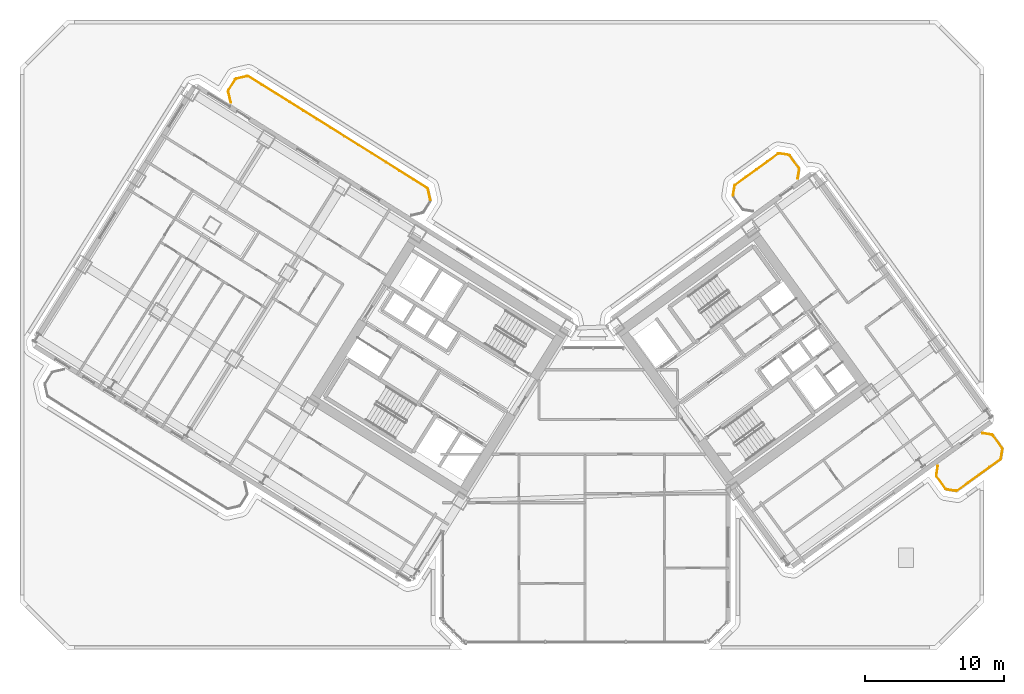
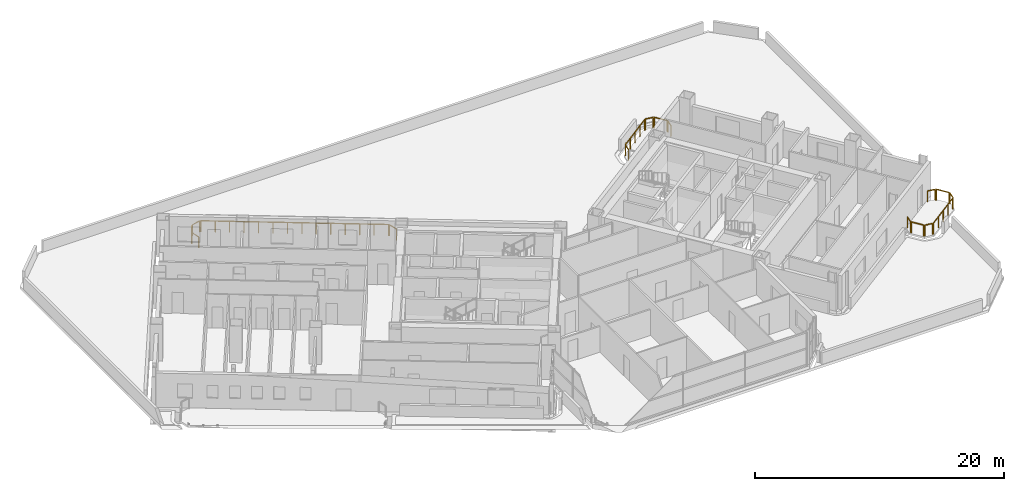
# One storey, part 28 of 28: 17 railings.
"""IFC4 building model written with IfcOpenShell, lengths in metres."""

from ifc_helpers import new_model, si_unit, direction, frame, origin, origin_2d, place, context, subcontext, project, spatial, rectangle, extrude, source, transform, mapped, material, type_object, element, save


model = new_model("IFC4")

# Units and contexts
model_context = context("Model", 3, precision=1e-05, world=origin(), true_north=direction((0.0, 1.0)))
body_context = subcontext(model_context, "Body", "Model", "MODEL_VIEW")
ifc_project = project(units=[si_unit("LENGTHUNIT", "METRE"), si_unit("AREAUNIT", "SQUARE_METRE"), si_unit("VOLUMEUNIT", "CUBIC_METRE"), si_unit("PLANEANGLEUNIT", "RADIAN"), si_unit("MASSUNIT", "GRAM", prefix="KILO")], contexts=[model_context])

# Site, building, storey
site_placement = place(None, origin())
site = spatial("IfcSite", under=ifc_project, at=site_placement, CompositionType="ELEMENT")
building_placement = place(site_placement, origin())
building = spatial("IfcBuilding", under=site, at=building_placement, Name="Tlacorven Tower", CompositionType="ELEMENT")
storey_placement = place(building_placement, frame((0.0, 0.0, 24.0)))
storey = spatial("IfcBuildingStorey", under=building, at=storey_placement, Name="L05", CompositionType="ELEMENT", Elevation=24.0)

# Railings
ifc_material = material(Name="Aluminium and painted steel balustrade", Category="steel")
railing_type = type_object("IfcRailingType", Name="RL-BAL-1100", PredefinedType="BALUSTRADE", material=ifc_material)
shared_shape_1 = source(origin(), body_context, "Body", "SweptSolid", [
    extrude(rectangle(XDim=0.048095703125, YDim=0.048095703125, at=origin_2d()), frame((0.0, 0.0, 1.076171875), z_axis=(0.225058334816, -0.974345290916, 0.0), x_axis=(0.974345290916, 0.225058334816, 0.0)), (0.0, 0.0, 1.0), 0.80712890625),
    extrude(rectangle(XDim=0.0419921875, YDim=0.0419921875, at=origin_2d()), origin(), (0.0, 0.0, 1.0), 1.052001953125),
    extrude(rectangle(XDim=0.0419921875, YDim=0.0419921875, at=origin_2d()), frame((0.181640625, -0.786376953125, 0.0)), (0.0, 0.0, 1.0), 1.052001953125),
])
railing_1_placement = place(storey_placement, frame((30.6796875, 34.466064453125, 0.0)))
element("IfcRailing", 1, at=railing_1_placement, inside=storey, type_object=railing_type, Name="BAL-L05-W-IN Guard Railing 1", PredefinedType="BALUSTRADE", context=body_context, shape_type="MappedRepresentation", body=[
    mapped(shared_shape_1, transform((0.0, 0.0, 0.0), scale=1.0)),
])
shared_shape_2 = source(origin(), body_context, "Body", "SweptSolid", [
    extrude(rectangle(XDim=0.048095703125, YDim=0.048095703125, at=origin_2d()), frame((0.0, 0.0, 1.076171875), z_axis=(-0.225058334816, 0.974345290916, 0.0), x_axis=(-0.974345290916, -0.225058334816, 0.0)), (0.0, 0.0, 1.0), 0.80712890625),
    extrude(rectangle(XDim=0.0419921875, YDim=0.0419921875, at=origin_2d()), origin(), (0.0, 0.0, 1.0), 1.052001953125),
    extrude(rectangle(XDim=0.0419921875, YDim=0.0419921875, at=origin_2d()), frame((-0.181640625, 0.786376953125, 0.0)), (0.0, 0.0, 1.0), 1.052001953125),
])
railing_2_placement = place(storey_placement, frame((16.5361328125, 40.68115234375, 0.0)))
element("IfcRailing", 2, at=railing_2_placement, inside=storey, type_object=railing_type, Name="BAL-L05-W-IN Guard Railing 4", PredefinedType="BALUSTRADE", context=body_context, shape_type="MappedRepresentation", body=[
    mapped(shared_shape_2, transform((0.0, 0.0, 0.0), scale=1.0)),
])
shared_shape_3 = source(origin(), body_context, "Body", "SweptSolid", [
    extrude(rectangle(XDim=0.048095703125, YDim=0.048095703125, at=origin_2d()), frame((0.0, 0.0, 1.076171875), z_axis=(0.52987865805, 0.848073468364, 0.0), x_axis=(-0.848073468364, 0.52987865805, 0.0)), (0.0, 0.0, 1.0), 0.912353515625),
    extrude(rectangle(XDim=0.0419921875, YDim=0.0419921875, at=origin_2d()), origin(), (0.0, 0.0, 1.0), 1.052001953125),
    extrude(rectangle(XDim=0.0419921875, YDim=0.0419921875, at=origin_2d()), frame((0.4833984375, 0.773681640625, 0.0)), (0.0, 0.0, 1.0), 1.052001953125),
])
railing_3_placement = place(storey_placement, frame((16.369873046875, 41.55859375, 0.0)))
element("IfcRailing", 3, at=railing_3_placement, inside=storey, type_object=railing_type, Name="BAL-L05-W-IN Guard Railing 5", PredefinedType="BALUSTRADE", context=body_context, shape_type="MappedRepresentation", body=[
    mapped(shared_shape_3, transform((0.0, 0.0, 0.0), scale=1.0)),
])
shared_shape_4 = source(origin(), body_context, "Body", "SweptSolid", [
    extrude(rectangle(XDim=0.048095703125, YDim=0.048095703125, at=origin_2d()), frame((0.0, 0.0, 1.076171875), z_axis=(0.974411586182, 0.224771129628, 0.0), x_axis=(-0.224771129628, 0.974411586182, 0.0)), (0.0, 0.0, 1.0), 0.80712890625),
    extrude(rectangle(XDim=0.0419921875, YDim=0.0419921875, at=origin_2d()), origin(), (0.0, 0.0, 1.0), 1.052001953125),
    extrude(rectangle(XDim=0.0419921875, YDim=0.0419921875, at=origin_2d()), frame((0.786376953125, 0.181396484375, 0.0)), (0.0, 0.0, 1.0), 1.052001953125),
])
railing_4_placement = place(storey_placement, frame((16.928466796875, 42.385986328125, 0.0)))
element("IfcRailing", 4, at=railing_4_placement, inside=storey, type_object=railing_type, Name="BAL-L05-W-IN Guard Railing 6", PredefinedType="BALUSTRADE", context=body_context, shape_type="MappedRepresentation", body=[
    mapped(shared_shape_4, transform((0.0, 0.0, 0.0), scale=1.0)),
])
shared_shape_5 = source(origin(), body_context, "Body", "SweptSolid", [
    extrude(rectangle(XDim=0.048095703125, YDim=0.048095703125, at=origin_2d()), frame((0.0, 0.0, 1.076171875), z_axis=(0.848044572804, -0.529924902733, 0.0), x_axis=(0.529924902733, 0.848044572804, 0.0)), (0.0, 0.0, 1.0), 15.1171875),
    extrude(rectangle(XDim=0.0419921875, YDim=0.0419921875, at=origin_2d()), origin(), (0.0, 0.0, 1.0), 1.052001953125),
    extrude(rectangle(XDim=0.0419921875, YDim=0.0419921875, at=origin_2d()), frame((0.986083984375, -0.6162109375, 0.0)), (0.0, 0.0, 1.0), 1.052001953125),
    extrude(rectangle(XDim=0.0419921875, YDim=0.0419921875, at=origin_2d()), frame((1.972412109375, -1.232421875, 0.0)), (0.0, 0.0, 1.0), 1.052001953125),
    extrude(rectangle(XDim=0.0419921875, YDim=0.0419921875, at=origin_2d()), frame((2.95849609375, -1.8486328125, 0.0)), (0.0, 0.0, 1.0), 1.052001953125),
    extrude(rectangle(XDim=0.0419921875, YDim=0.0419921875, at=origin_2d()), frame((3.944580078125, -2.46484375, 0.0)), (0.0, 0.0, 1.0), 1.052001953125),
    extrude(rectangle(XDim=0.0419921875, YDim=0.0419921875, at=origin_2d()), frame((4.930908203125, -3.0810546875, 0.0)), (0.0, 0.0, 1.0), 1.052001953125),
    extrude(rectangle(XDim=0.0419921875, YDim=0.0419921875, at=origin_2d()), frame((5.9169921875, -3.697265625, 0.0)), (0.0, 0.0, 1.0), 1.052001953125),
    extrude(rectangle(XDim=0.0419921875, YDim=0.0419921875, at=origin_2d()), frame((6.903076171875, -4.313720703125, 0.0)), (0.0, 0.0, 1.0), 1.052001953125),
    extrude(rectangle(XDim=0.0419921875, YDim=0.0419921875, at=origin_2d()), frame((7.88916015625, -4.929931640625, 0.0)), (0.0, 0.0, 1.0), 1.052001953125),
    extrude(rectangle(XDim=0.0419921875, YDim=0.0419921875, at=origin_2d()), frame((8.87548828125, -5.546142578125, 0.0)), (0.0, 0.0, 1.0), 1.052001953125),
    extrude(rectangle(XDim=0.0419921875, YDim=0.0419921875, at=origin_2d()), frame((9.861572265625, -6.162353515625, 0.0)), (0.0, 0.0, 1.0), 1.052001953125),
    extrude(rectangle(XDim=0.0419921875, YDim=0.0419921875, at=origin_2d()), frame((10.84765625, -6.778564453125, 0.0)), (0.0, 0.0, 1.0), 1.052001953125),
    extrude(rectangle(XDim=0.0419921875, YDim=0.0419921875, at=origin_2d()), frame((11.833984375, -7.394775390625, 0.0)), (0.0, 0.0, 1.0), 1.052001953125),
    extrude(rectangle(XDim=0.0419921875, YDim=0.0419921875, at=origin_2d()), frame((12.820068359375, -8.010986328125, 0.0)), (0.0, 0.0, 1.0), 1.052001953125),
])
railing_5_placement = place(storey_placement, frame((17.805908203125, 42.55224609375, 0.0)))
element("IfcRailing", 5, at=railing_5_placement, inside=storey, type_object=railing_type, Name="BAL-L05-W-IN Guard Railing 7", PredefinedType="BALUSTRADE", context=body_context, shape_type="MappedRepresentation", body=[
    mapped(shared_shape_5, transform((0.0, 0.0, 0.0), scale=1.0)),
])
shared_shape_6 = source(origin(), body_context, "Body", "SweptSolid", [
    extrude(rectangle(XDim=0.048095703125, YDim=0.048095703125, at=origin_2d()), frame((0.0, 0.0, 1.076171875), z_axis=(-0.987661653326, 0.156602868908, 0.0), x_axis=(-0.156602868908, -0.987661653326, 0.0)), (0.0, 0.0, 1.0), 0.665771484375),
    extrude(rectangle(XDim=0.0419921875, YDim=0.0419921875, at=origin_2d()), origin(), (0.0, 0.0, 1.0), 1.052001953125),
    extrude(rectangle(XDim=0.0419921875, YDim=0.0419921875, at=origin_2d()), frame((-0.657470703125, 0.104248046875, 0.0)), (0.0, 0.0, 1.0), 1.052001953125),
])
railing_6_placement = place(storey_placement, frame((68.59521484375, 12.7919921875, 0.0)))
element("IfcRailing", 6, at=railing_6_placement, inside=storey, type_object=railing_type, Name="BAL-L05-E-OUT Guard Railing 1", PredefinedType="BALUSTRADE", context=body_context, shape_type="MappedRepresentation", body=[
    mapped(shared_shape_6, transform((0.0, 0.0, 0.0), scale=1.0)),
])
shared_shape_7 = source(origin(), body_context, "Body", "SweptSolid", [
    extrude(rectangle(XDim=0.048095703125, YDim=0.048095703125, at=origin_2d()), frame((0.0, 0.0, 1.076171875), z_axis=(-0.58788449985, 0.808944877501, 0.0), x_axis=(-0.808944877501, -0.58788449985, 0.0)), (0.0, 0.0, 1.0), 1.112060546875),
    extrude(rectangle(XDim=0.0419921875, YDim=0.0419921875, at=origin_2d()), origin(), (0.0, 0.0, 1.0), 1.052001953125),
    extrude(rectangle(XDim=0.0419921875, YDim=0.0419921875, at=origin_2d()), frame((-0.65380859375, 0.899658203125, 0.0)), (0.0, 0.0, 1.0), 1.052001953125),
])
railing_7_placement = place(storey_placement, frame((67.85888671875, 12.944580078125, 0.0)))
element("IfcRailing", 7, at=railing_7_placement, inside=storey, type_object=railing_type, Name="BAL-L05-E-OUT Guard Railing 2", PredefinedType="BALUSTRADE", context=body_context, shape_type="MappedRepresentation", body=[
    mapped(shared_shape_7, transform((0.0, 0.0, 0.0), scale=1.0)),
])
shared_shape_8 = source(origin(), body_context, "Body", "SweptSolid", [
    extrude(rectangle(XDim=0.048095703125, YDim=0.048095703125, at=origin_2d()), frame((0.0, 0.0, 1.076171875), z_axis=(0.156602868908, 0.987661653326, 0.0), x_axis=(-0.987661653326, 0.156602868908, 0.0)), (0.0, 0.0, 1.0), 0.665771484375),
    extrude(rectangle(XDim=0.0419921875, YDim=0.0419921875, at=origin_2d()), origin(), (0.0, 0.0, 1.0), 1.052001953125),
    extrude(rectangle(XDim=0.0419921875, YDim=0.0419921875, at=origin_2d()), frame((0.104248046875, 0.657470703125, 0.0)), (0.0, 0.0, 1.0), 1.052001953125),
])
railing_8_placement = place(storey_placement, frame((67.18359375, 13.93408203125, 0.0)))
element("IfcRailing", 8, at=railing_8_placement, inside=storey, type_object=railing_type, Name="BAL-L05-E-OUT Guard Railing 3", PredefinedType="BALUSTRADE", context=body_context, shape_type="MappedRepresentation", body=[
    mapped(shared_shape_8, transform((0.0, 0.0, 0.0), scale=1.0)),
])
shared_shape_9 = source(origin(), body_context, "Body", "SweptSolid", [
    extrude(rectangle(XDim=0.048095703125, YDim=0.048095703125, at=origin_2d()), frame((0.0, 0.0, 1.076171875), z_axis=(0.987718317463, -0.156245081039, 0.0), x_axis=(0.156245081039, 0.987718317463, 0.0)), (0.0, 0.0, 1.0), 0.66552734375),
    extrude(rectangle(XDim=0.0419921875, YDim=0.0419921875, at=origin_2d()), origin(), (0.0, 0.0, 1.0), 1.052001953125),
    extrude(rectangle(XDim=0.0419921875, YDim=0.0419921875, at=origin_2d()), frame((0.657470703125, -0.10400390625, 0.0)), (0.0, 0.0, 1.0), 1.052001953125),
])
railing_9_placement = place(storey_placement, frame((70.513916015625, 16.935546875, 0.0)))
element("IfcRailing", 9, at=railing_9_placement, inside=storey, type_object=railing_type, Name="BAL-L05-E-OUT Guard Railing 4", PredefinedType="BALUSTRADE", context=body_context, shape_type="MappedRepresentation", body=[
    mapped(shared_shape_9, transform((0.0, 0.0, 0.0), scale=1.0)),
])
shared_shape_10 = source(origin(), body_context, "Body", "SweptSolid", [
    extrude(rectangle(XDim=0.048095703125, YDim=0.048095703125, at=origin_2d()), frame((0.0, 0.0, 1.076171875), z_axis=(0.58788449985, -0.808944877501, 0.0), x_axis=(0.808944877501, 0.58788449985, 0.0)), (0.0, 0.0, 1.0), 1.112060546875),
    extrude(rectangle(XDim=0.0419921875, YDim=0.0419921875, at=origin_2d()), origin(), (0.0, 0.0, 1.0), 1.052001953125),
    extrude(rectangle(XDim=0.0419921875, YDim=0.0419921875, at=origin_2d()), frame((0.65380859375, -0.899658203125, 0.0)), (0.0, 0.0, 1.0), 1.052001953125),
])
for number, where, name in (
    (10, (71.250244140625, 16.783203125, 0.0), "BAL-L05-E-OUT Guard Railing 5"),
    (11, (56.658447265625, 36.866943359375, 0.0), "BAL-L05-E-IN Guard Railing 6"),
):
    element("IfcRailing", number, at=place(storey_placement, frame(where)), inside=storey, type_object=railing_type, Name=name, PredefinedType="BALUSTRADE", context=body_context, shape_type="MappedRepresentation", body=[
        mapped(shared_shape_10, transform((0.0, 0.0, 0.0), scale=1.0)),
    ])
shared_shape_11 = source(origin(), body_context, "Body", "SweptSolid", [
    extrude(rectangle(XDim=0.048095703125, YDim=0.048095703125, at=origin_2d()), frame((0.0, 0.0, 1.076171875), z_axis=(-0.156188498702, -0.987727266442, 0.0), x_axis=(0.987727266442, -0.156188498702, 0.0)), (0.0, 0.0, 1.0), 0.665771484375),
    extrude(rectangle(XDim=0.0419921875, YDim=0.0419921875, at=origin_2d()), origin(), (0.0, 0.0, 1.0), 1.052001953125),
    extrude(rectangle(XDim=0.0419921875, YDim=0.0419921875, at=origin_2d()), frame((-0.10400390625, -0.65771484375, 0.0)), (0.0, 0.0, 1.0), 1.052001953125),
])
railing_10_placement = place(storey_placement, frame((71.925537109375, 15.793701171875, 0.0)))
element("IfcRailing", 12, at=railing_10_placement, inside=storey, type_object=railing_type, Name="BAL-L05-E-OUT Guard Railing 6", PredefinedType="BALUSTRADE", context=body_context, shape_type="MappedRepresentation", body=[
    mapped(shared_shape_11, transform((0.0, 0.0, 0.0), scale=1.0)),
])
shared_shape_12 = source(origin(), body_context, "Body", "SweptSolid", [
    extrude(rectangle(XDim=0.048095703125, YDim=0.048095703125, at=origin_2d()), frame((0.0, 0.0, 1.076171875), z_axis=(-0.809018102573, -0.587783726986, 0.0), x_axis=(0.587783726986, -0.809018102573, 0.0)), (0.0, 0.0, 1.0), 3.817138671875),
    extrude(rectangle(XDim=0.0419921875, YDim=0.0419921875, at=origin_2d()), origin(), (0.0, 0.0, 1.0), 1.052001953125),
    extrude(rectangle(XDim=0.0419921875, YDim=0.0419921875, at=origin_2d()), frame((-0.77197265625, -0.56103515625, 0.0)), (0.0, 0.0, 1.0), 1.052001953125),
    extrude(rectangle(XDim=0.0419921875, YDim=0.0419921875, at=origin_2d()), frame((-1.5439453125, -1.121826171875, 0.0)), (0.0, 0.0, 1.0), 1.052001953125),
    extrude(rectangle(XDim=0.0419921875, YDim=0.0419921875, at=origin_2d()), frame((-2.316162109375, -1.6826171875, 0.0)), (0.0, 0.0, 1.0), 1.052001953125),
    extrude(rectangle(XDim=0.0419921875, YDim=0.0419921875, at=origin_2d()), frame((-3.088134765625, -2.24365234375, 0.0)), (0.0, 0.0, 1.0), 1.052001953125),
])
railing_11_placement = place(storey_placement, frame((71.773193359375, 15.057373046875, 0.0)))
element("IfcRailing", 13, at=railing_11_placement, inside=storey, type_object=railing_type, Name="BAL-L05-E-OUT Guard Railing 7", PredefinedType="BALUSTRADE", context=body_context, shape_type="MappedRepresentation", body=[
    mapped(shared_shape_12, transform((0.0, 0.0, 0.0), scale=1.0)),
])
shared_shape_13 = source(origin(), body_context, "Body", "SweptSolid", [
    extrude(rectangle(XDim=0.048095703125, YDim=0.048095703125, at=origin_2d()), frame((0.0, 0.0, 1.076171875), z_axis=(0.156546163506, 0.987670642822, 0.0), x_axis=(-0.987670642822, 0.156546163506, 0.0)), (0.0, 0.0, 1.0), 0.666015625),
    extrude(rectangle(XDim=0.0419921875, YDim=0.0419921875, at=origin_2d()), origin(), (0.0, 0.0, 1.0), 1.052001953125),
    extrude(rectangle(XDim=0.0419921875, YDim=0.0419921875, at=origin_2d()), frame((0.104248046875, 0.65771484375, 0.0)), (0.0, 0.0, 1.0), 1.052001953125),
])
railing_12_placement = place(storey_placement, frame((52.591796875, 34.017822265625, 0.0)))
element("IfcRailing", 14, at=railing_12_placement, inside=storey, type_object=railing_type, Name="BAL-L05-E-IN Guard Railing 3", PredefinedType="BALUSTRADE", context=body_context, shape_type="MappedRepresentation", body=[
    mapped(shared_shape_13, transform((0.0, 0.0, 0.0), scale=1.0)),
])
shared_shape_14 = source(origin(), body_context, "Body", "SweptSolid", [
    extrude(rectangle(XDim=0.048095703125, YDim=0.048095703125, at=origin_2d()), frame((0.0, 0.0, 1.076171875), z_axis=(0.809040198054, 0.587753313843, 0.0), x_axis=(-0.587753313843, 0.809040198054, 0.0)), (0.0, 0.0, 1.0), 3.8173828125),
    extrude(rectangle(XDim=0.0419921875, YDim=0.0419921875, at=origin_2d()), origin(), (0.0, 0.0, 1.0), 1.052001953125),
    extrude(rectangle(XDim=0.0419921875, YDim=0.0419921875, at=origin_2d()), frame((0.77197265625, 0.56103515625, 0.0)), (0.0, 0.0, 1.0), 1.052001953125),
    extrude(rectangle(XDim=0.0419921875, YDim=0.0419921875, at=origin_2d()), frame((1.544189453125, 1.121826171875, 0.0)), (0.0, 0.0, 1.0), 1.052001953125),
    extrude(rectangle(XDim=0.0419921875, YDim=0.0419921875, at=origin_2d()), frame((2.31640625, 1.6826171875, 0.0)), (0.0, 0.0, 1.0), 1.052001953125),
    extrude(rectangle(XDim=0.0419921875, YDim=0.0419921875, at=origin_2d()), frame((3.08837890625, 2.24365234375, 0.0)), (0.0, 0.0, 1.0), 1.052001953125),
])
railing_13_placement = place(storey_placement, frame((52.744140625, 34.754150390625, 0.0)))
element("IfcRailing", 15, at=railing_13_placement, inside=storey, type_object=railing_type, Name="BAL-L05-E-IN Guard Railing 4", PredefinedType="BALUSTRADE", context=body_context, shape_type="MappedRepresentation", body=[
    mapped(shared_shape_14, transform((0.0, 0.0, 0.0), scale=1.0)),
])
shared_shape_15 = source(origin(), body_context, "Body", "SweptSolid", [
    extrude(rectangle(XDim=0.048095703125, YDim=0.048095703125, at=origin_2d()), frame((0.0, 0.0, 1.076171875), z_axis=(0.987670642822, -0.156546163506, 0.0), x_axis=(0.156546163506, 0.987670642822, 0.0)), (0.0, 0.0, 1.0), 0.666015625),
    extrude(rectangle(XDim=0.0419921875, YDim=0.0419921875, at=origin_2d()), origin(), (0.0, 0.0, 1.0), 1.052001953125),
    extrude(rectangle(XDim=0.0419921875, YDim=0.0419921875, at=origin_2d()), frame((0.65771484375, -0.104248046875, 0.0)), (0.0, 0.0, 1.0), 1.052001953125),
])
railing_14_placement = place(storey_placement, frame((55.922119140625, 37.01953125, 0.0)))
element("IfcRailing", 16, at=railing_14_placement, inside=storey, type_object=railing_type, Name="BAL-L05-E-IN Guard Railing 5", PredefinedType="BALUSTRADE", context=body_context, shape_type="MappedRepresentation", body=[
    mapped(shared_shape_15, transform((0.0, 0.0, 0.0), scale=1.0)),
])
shared_shape_16 = source(origin(), body_context, "Body", "SweptSolid", [
    extrude(rectangle(XDim=0.048095703125, YDim=0.048095703125, at=origin_2d()), frame((0.0, 0.0, 1.076171875), z_axis=(-0.156245081039, -0.987718317463, 0.0), x_axis=(0.987718317463, -0.156245081039, 0.0)), (0.0, 0.0, 1.0), 0.66552734375),
    extrude(rectangle(XDim=0.0419921875, YDim=0.0419921875, at=origin_2d()), origin(), (0.0, 0.0, 1.0), 1.052001953125),
    extrude(rectangle(XDim=0.0419921875, YDim=0.0419921875, at=origin_2d()), frame((-0.10400390625, -0.657470703125, 0.0)), (0.0, 0.0, 1.0), 1.052001953125),
])
railing_15_placement = place(storey_placement, frame((57.333740234375, 35.87744140625, 0.0)))
element("IfcRailing", 17, at=railing_15_placement, inside=storey, type_object=railing_type, Name="BAL-L05-E-IN Guard Railing 7", PredefinedType="BALUSTRADE", context=body_context, shape_type="MappedRepresentation", body=[
    mapped(shared_shape_16, transform((0.0, 0.0, 0.0), scale=1.0)),
])

save(model, "model.ifc")
